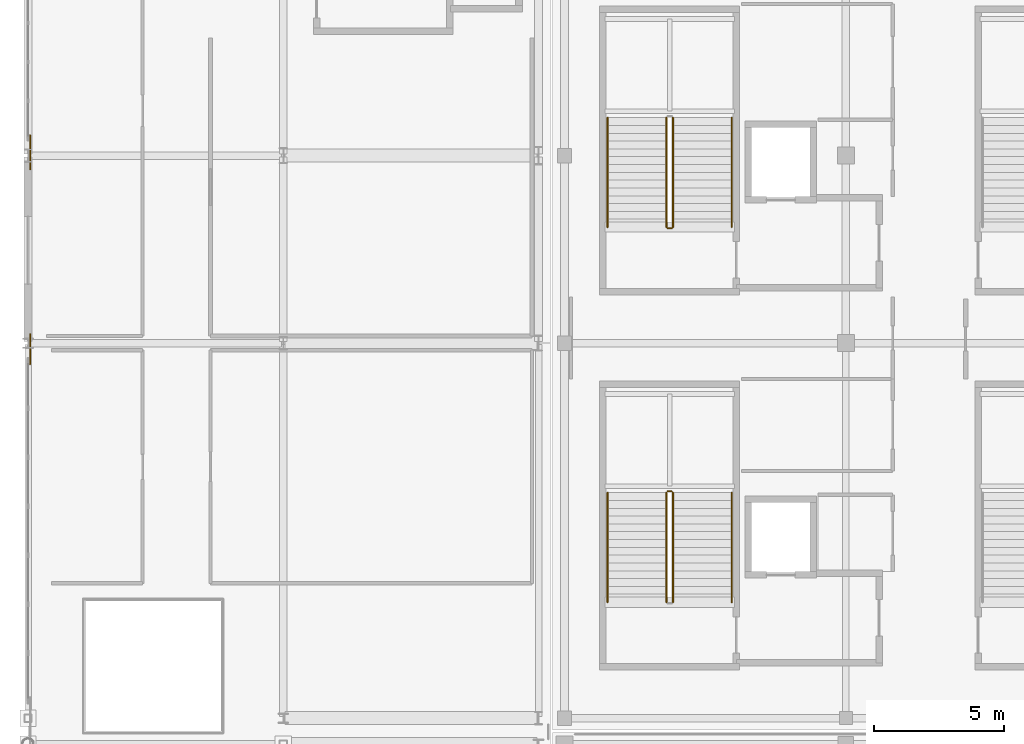
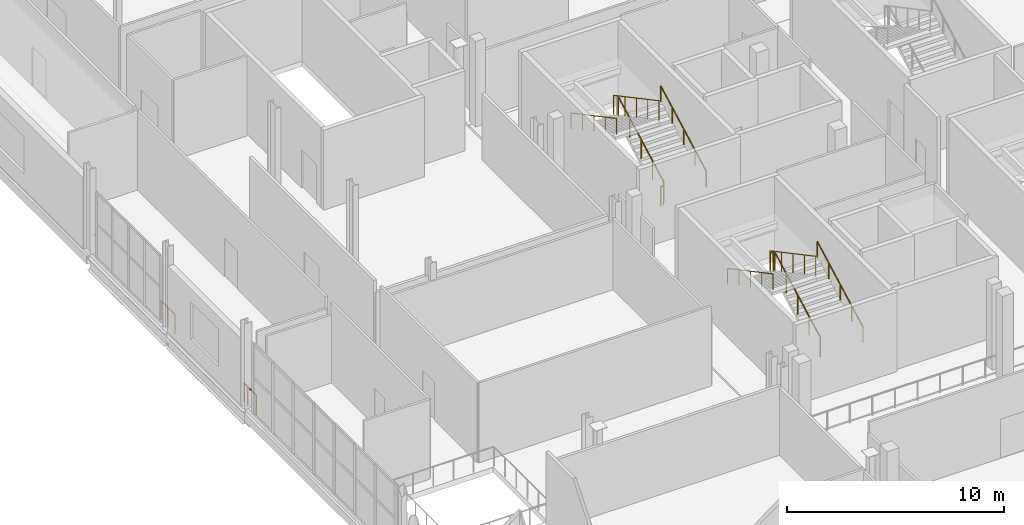
# One storey, part 113 of 142: 13 railings.
"""IFC4 building model written with IfcOpenShell, lengths in metres."""

from ifc_helpers import new_model, si_unit, direction, frame, origin, origin_2d, place, context, subcontext, project, spatial, circle, extrude, material, type_object, element, save


model = new_model("IFC4")

# Units and contexts
model_context = context("Model", 3, precision=1e-05, world=origin(), true_north=direction((0.0, 1.0)))
body_context = subcontext(model_context, "Body", "Model", "MODEL_VIEW")
ifc_project = project(units=[si_unit("LENGTHUNIT", "METRE"), si_unit("AREAUNIT", "SQUARE_METRE"), si_unit("VOLUMEUNIT", "CUBIC_METRE"), si_unit("PLANEANGLEUNIT", "RADIAN"), si_unit("MASSUNIT", "GRAM", prefix="KILO")], contexts=[model_context])

# Site, building, storey
site_placement = place(None, origin())
site = spatial("IfcSite", under=ifc_project, at=site_placement, CompositionType="ELEMENT")
building_placement = place(site_placement, origin())
building = spatial("IfcBuilding", under=site, at=building_placement, Name="Koshinbarg Plaza Stadium", CompositionType="ELEMENT")
storey_placement = place(building_placement, frame((0.0, 0.0, 10.199951171875)))
storey = spatial("IfcBuildingStorey", under=building, at=storey_placement, Name="L02", CompositionType="ELEMENT", Elevation=10.199951171875)

# Railings
ifc_material_1 = material(Name="Toughened laminated glass and stainless steel sightline balustrade", Category="steel")
railing_type_1 = type_object("IfcRailingType", Name="RL-BOWL-1100", PredefinedType="BALUSTRADE", material=ifc_material_1)
railing_1_placement = place(storey_placement, frame((4.080078125, 39.10009765625, 0.0)))
element("IfcRailing", 1, at=railing_1_placement, inside=storey, type_object=railing_type_1, Name="L02 deck edge safety balustrade 0218", PredefinedType="BALUSTRADE", context=body_context, shape_type="SweptSolid", body=[
    extrude(circle(Radius=0.02392578125, at=origin_2d()), frame((0.0, 0.0, 1.076171875), z_axis=(0.0, 1.0, 0.0), x_axis=(-1.0, 0.0, 0.0)), (0.0, 0.0, 1.0), 0.7998046875),
    extrude(circle(Radius=0.02099609375, at=origin_2d()), origin(), (0.0, 0.0, 1.0), 1.052001953125),
    extrude(circle(Radius=0.02099609375, at=origin_2d()), frame((0.0, 0.7998046875, 0.0)), (0.0, 0.0, 1.0), 1.052001953125),
])
railing_2_placement = place(storey_placement, frame((4.080078125, 39.89990234375, 0.0)))
element("IfcRailing", 2, at=railing_2_placement, inside=storey, type_object=railing_type_1, Name="L02 deck edge safety balustrade 0222", PredefinedType="BALUSTRADE", context=body_context, shape_type="SweptSolid", body=[
    extrude(circle(Radius=0.02392578125, at=origin_2d()), frame((0.0, 0.0, 1.076171875), z_axis=(0.0, 1.0, 0.0), x_axis=(-1.0, 0.0, 0.0)), (0.0, 0.0, 1.0), 0.349609375),
    extrude(circle(Radius=0.02099609375, at=origin_2d()), origin(), (0.0, 0.0, 1.0), 1.052001953125),
    extrude(circle(Radius=0.02099609375, at=origin_2d()), frame((0.0, 0.349609375, 0.0)), (0.0, 0.0, 1.0), 1.052001953125),
])
railing_3_placement = place(storey_placement, frame((4.080078125, 46.581787109375, 0.0)))
element("IfcRailing", 3, at=railing_3_placement, inside=storey, type_object=railing_type_1, Name="L02 deck edge safety balustrade 0223", PredefinedType="BALUSTRADE", context=body_context, shape_type="SweptSolid", body=[
    extrude(circle(Radius=0.02392578125, at=origin_2d()), frame((0.0, 0.0, 1.076171875), z_axis=(0.0, 1.0, 0.0), x_axis=(-1.0, 0.0, 0.0)), (0.0, 0.0, 1.0), 1.297607421875),
    extrude(circle(Radius=0.02099609375, at=origin_2d()), origin(), (0.0, 0.0, 1.0), 1.052001953125),
    extrude(circle(Radius=0.02099609375, at=origin_2d()), frame((0.0, 0.64892578125, 0.0)), (0.0, 0.0, 1.0), 1.052001953125),
    extrude(circle(Radius=0.02099609375, at=origin_2d()), frame((0.0, 1.297607421875, 0.0)), (0.0, 0.0, 1.0), 1.052001953125),
])
ifc_material_2 = material(Name="Galvanized painted steel guardrail", Category="steel")
railing_type_2 = type_object("IfcRailingType", Name="RL-GUARD-1100", PredefinedType="GUARDRAIL", material=ifc_material_2)
railing_4_placement = place(storey_placement, frame((28.760009765625, 29.9599609375, 0.16015625)))
element("IfcRailing", 4, at=railing_4_placement, inside=storey, type_object=railing_type_2, Name="L02 C01 stair guard 1", PredefinedType="GUARDRAIL", context=body_context, shape_type="SweptSolid", body=[
    extrude(circle(Radius=0.02392578125, at=origin_2d()), frame((0.0, 0.0, 1.076171875), z_axis=(0.0, 0.882351521365, 0.470590897432), x_axis=(-1.0, 0.0, 0.0)), (0.0, 0.0, 1.0), 4.760009765625),
    extrude(circle(Radius=0.02099609375, at=origin_2d()), origin(), (0.0, 0.0, 1.0), 1.052001953125),
    extrude(circle(Radius=0.02099609375, at=origin_2d()), frame((0.0, 1.050048828125, 0.56005859375)), (0.0, 0.0, 1.0), 1.052001953125),
    extrude(circle(Radius=0.02099609375, at=origin_2d()), frame((0.0, 2.10009765625, 1.1201171875)), (0.0, 0.0, 1.0), 1.052001953125),
    extrude(circle(Radius=0.02099609375, at=origin_2d()), frame((0.0, 3.14990234375, 1.679931640625)), (0.0, 0.0, 1.0), 1.052001953125),
    extrude(circle(Radius=0.02099609375, at=origin_2d()), frame((0.0, 4.199951171875, 2.239990234375)), (0.0, 0.0, 1.0), 1.052001953125),
])
railing_5_placement = place(storey_placement, frame((28.7099609375, 34.2099609375, 2.400146484375)))
element("IfcRailing", 5, at=railing_5_placement, inside=storey, type_object=railing_type_2, Name="L02 C01 stair guard 2", PredefinedType="GUARDRAIL", context=body_context, shape_type="SweptSolid", body=[
    extrude(circle(Radius=0.02392578125, at=origin_2d()), frame((0.0, 0.0, 1.076171875), z_axis=(-1.0, 0.0, 0.0), x_axis=(0.0, -1.0, 0.0)), (0.0, 0.0, 1.0), 0.14990234375),
    extrude(circle(Radius=0.02099609375, at=origin_2d()), origin(), (0.0, 0.0, 1.0), 1.052001953125),
    extrude(circle(Radius=0.02099609375, at=origin_2d()), frame((-0.14990234375, 0.0, 0.0)), (0.0, 0.0, 1.0), 1.052001953125),
])
railing_6_placement = place(storey_placement, frame((28.510009765625, 34.159912109375, 2.56005859375)))
element("IfcRailing", 6, at=railing_6_placement, inside=storey, type_object=railing_type_2, Name="L02 C01 stair guard 3", PredefinedType="GUARDRAIL", context=body_context, shape_type="SweptSolid", body=[
    extrude(circle(Radius=0.02392578125, at=origin_2d()), frame((0.0, 0.0, 1.076171875), z_axis=(0.0, -0.882351521365, 0.470590897432), x_axis=(1.0, 0.0, 0.0)), (0.0, 0.0, 1.0), 4.760009765625),
    extrude(circle(Radius=0.02099609375, at=origin_2d()), origin(), (0.0, 0.0, 1.0), 1.052001953125),
    extrude(circle(Radius=0.02099609375, at=origin_2d()), frame((0.0, -1.050048828125, 0.56005859375)), (0.0, 0.0, 1.0), 1.052001953125),
    extrude(circle(Radius=0.02099609375, at=origin_2d()), frame((0.0, -2.10009765625, 1.1201171875)), (0.0, 0.0, 1.0), 1.052001953125),
    extrude(circle(Radius=0.02099609375, at=origin_2d()), frame((0.0, -3.14990234375, 1.679931640625)), (0.0, 0.0, 1.0), 1.052001953125),
    extrude(circle(Radius=0.02099609375, at=origin_2d()), frame((0.0, -4.199951171875, 2.239990234375)), (0.0, 0.0, 1.0), 1.052001953125),
])
railing_7_placement = place(storey_placement, frame((28.760009765625, 44.360107421875, 0.16015625)))
element("IfcRailing", 7, at=railing_7_placement, inside=storey, type_object=railing_type_2, Name="L02 C02 stair guard 1", PredefinedType="GUARDRAIL", context=body_context, shape_type="SweptSolid", body=[
    extrude(circle(Radius=0.02392578125, at=origin_2d()), frame((0.0, 0.0, 1.076171875), z_axis=(0.0, 0.882351521365, 0.470590897432), x_axis=(-1.0, 0.0, 0.0)), (0.0, 0.0, 1.0), 4.760009765625),
    extrude(circle(Radius=0.02099609375, at=origin_2d()), origin(), (0.0, 0.0, 1.0), 1.052001953125),
    extrude(circle(Radius=0.02099609375, at=origin_2d()), frame((0.0, 1.050048828125, 0.56005859375)), (0.0, 0.0, 1.0), 1.052001953125),
    extrude(circle(Radius=0.02099609375, at=origin_2d()), frame((0.0, 2.10009765625, 1.1201171875)), (0.0, 0.0, 1.0), 1.052001953125),
    extrude(circle(Radius=0.02099609375, at=origin_2d()), frame((0.0, 3.14990234375, 1.679931640625)), (0.0, 0.0, 1.0), 1.052001953125),
    extrude(circle(Radius=0.02099609375, at=origin_2d()), frame((0.0, 4.199951171875, 2.239990234375)), (0.0, 0.0, 1.0), 1.052001953125),
])
railing_8_placement = place(storey_placement, frame((28.510009765625, 48.56005859375, 2.56005859375)))
element("IfcRailing", 8, at=railing_8_placement, inside=storey, type_object=railing_type_2, Name="L02 C02 stair guard 3", PredefinedType="GUARDRAIL", context=body_context, shape_type="SweptSolid", body=[
    extrude(circle(Radius=0.02392578125, at=origin_2d()), frame((0.0, 0.0, 1.076171875), z_axis=(0.0, -0.882351521365, 0.470590897432), x_axis=(1.0, 0.0, 0.0)), (0.0, 0.0, 1.0), 4.760009765625),
    extrude(circle(Radius=0.02099609375, at=origin_2d()), origin(), (0.0, 0.0, 1.0), 1.052001953125),
    extrude(circle(Radius=0.02099609375, at=origin_2d()), frame((0.0, -1.050048828125, 0.56005859375)), (0.0, 0.0, 1.0), 1.052001953125),
    extrude(circle(Radius=0.02099609375, at=origin_2d()), frame((0.0, -2.10009765625, 1.1201171875)), (0.0, 0.0, 1.0), 1.052001953125),
    extrude(circle(Radius=0.02099609375, at=origin_2d()), frame((0.0, -3.14990234375, 1.679931640625)), (0.0, 0.0, 1.0), 1.052001953125),
    extrude(circle(Radius=0.02099609375, at=origin_2d()), frame((0.0, -4.199951171875, 2.239990234375)), (0.0, 0.0, 1.0), 1.052001953125),
])
railing_9_placement = place(storey_placement, frame((28.7099609375, 44.31005859375, 0.0)))
element("IfcRailing", 9, at=railing_9_placement, inside=storey, type_object=railing_type_2, Name="L02 C02 stair guard 4", PredefinedType="GUARDRAIL", context=body_context, shape_type="SweptSolid", body=[
    extrude(circle(Radius=0.02392578125, at=origin_2d()), frame((0.0, 0.0, 1.076171875), z_axis=(-1.0, 0.0, 0.0), x_axis=(0.0, -1.0, 0.0)), (0.0, 0.0, 1.0), 0.14990234375),
    extrude(circle(Radius=0.02099609375, at=origin_2d()), origin(), (0.0, 0.0, 1.0), 1.052001953125),
    extrude(circle(Radius=0.02099609375, at=origin_2d()), frame((-0.14990234375, 0.0, 0.0)), (0.0, 0.0, 1.0), 1.052001953125),
])
ifc_material_3 = material(Name="Brushed stainless steel handrail", Category="steel")
railing_type_3 = type_object("IfcRailingType", Name="RL-HAND-900", PredefinedType="HANDRAIL", material=ifc_material_3)
railing_10_placement = place(storey_placement, frame((31.02001953125, 29.9599609375, 0.16015625)))
element("IfcRailing", 10, at=railing_10_placement, inside=storey, type_object=railing_type_3, Name="L02 C01 stair handrail 1", PredefinedType="HANDRAIL", context=body_context, shape_type="SweptSolid", body=[
    extrude(circle(Radius=0.02392578125, at=origin_2d()), frame((0.0, 0.0, 0.8759765625), z_axis=(0.0, 0.882351521365, 0.470590897432), x_axis=(-1.0, 0.0, 0.0)), (0.0, 0.0, 1.0), 4.760009765625),
    extrude(circle(Radius=0.02099609375, at=origin_2d()), origin(), (0.0, 0.0, 1.0), 0.851806640625),
    extrude(circle(Radius=0.02099609375, at=origin_2d()), frame((0.0, 1.050048828125, 0.56005859375)), (0.0, 0.0, 1.0), 0.851806640625),
    extrude(circle(Radius=0.02099609375, at=origin_2d()), frame((0.0, 2.10009765625, 1.1201171875)), (0.0, 0.0, 1.0), 0.851806640625),
    extrude(circle(Radius=0.02099609375, at=origin_2d()), frame((0.0, 3.14990234375, 1.679931640625)), (0.0, 0.0, 1.0), 0.851806640625),
    extrude(circle(Radius=0.02099609375, at=origin_2d()), frame((0.0, 4.199951171875, 2.239990234375)), (0.0, 0.0, 1.0), 0.851806640625),
])
railing_11_placement = place(storey_placement, frame((26.25, 34.159912109375, 2.56005859375)))
element("IfcRailing", 11, at=railing_11_placement, inside=storey, type_object=railing_type_3, Name="L02 C01 stair handrail 2", PredefinedType="HANDRAIL", context=body_context, shape_type="SweptSolid", body=[
    extrude(circle(Radius=0.02392578125, at=origin_2d()), frame((0.0, 0.0, 0.8759765625), z_axis=(0.0, -0.882351521365, 0.470590897432), x_axis=(1.0, 0.0, 0.0)), (0.0, 0.0, 1.0), 4.760009765625),
    extrude(circle(Radius=0.02099609375, at=origin_2d()), origin(), (0.0, 0.0, 1.0), 0.851806640625),
    extrude(circle(Radius=0.02099609375, at=origin_2d()), frame((0.0, -1.050048828125, 0.56005859375)), (0.0, 0.0, 1.0), 0.851806640625),
    extrude(circle(Radius=0.02099609375, at=origin_2d()), frame((0.0, -2.10009765625, 1.1201171875)), (0.0, 0.0, 1.0), 0.851806640625),
    extrude(circle(Radius=0.02099609375, at=origin_2d()), frame((0.0, -3.14990234375, 1.679931640625)), (0.0, 0.0, 1.0), 0.851806640625),
    extrude(circle(Radius=0.02099609375, at=origin_2d()), frame((0.0, -4.199951171875, 2.239990234375)), (0.0, 0.0, 1.0), 0.851806640625),
])
railing_12_placement = place(storey_placement, frame((31.02001953125, 44.360107421875, 0.16015625)))
element("IfcRailing", 12, at=railing_12_placement, inside=storey, type_object=railing_type_3, Name="L02 C02 stair handrail 1", PredefinedType="HANDRAIL", context=body_context, shape_type="SweptSolid", body=[
    extrude(circle(Radius=0.02392578125, at=origin_2d()), frame((0.0, 0.0, 0.8759765625), z_axis=(0.0, 0.882351521365, 0.470590897432), x_axis=(-1.0, 0.0, 0.0)), (0.0, 0.0, 1.0), 4.760009765625),
    extrude(circle(Radius=0.02099609375, at=origin_2d()), origin(), (0.0, 0.0, 1.0), 0.851806640625),
    extrude(circle(Radius=0.02099609375, at=origin_2d()), frame((0.0, 1.050048828125, 0.56005859375)), (0.0, 0.0, 1.0), 0.851806640625),
    extrude(circle(Radius=0.02099609375, at=origin_2d()), frame((0.0, 2.10009765625, 1.1201171875)), (0.0, 0.0, 1.0), 0.851806640625),
    extrude(circle(Radius=0.02099609375, at=origin_2d()), frame((0.0, 3.14990234375, 1.679931640625)), (0.0, 0.0, 1.0), 0.851806640625),
    extrude(circle(Radius=0.02099609375, at=origin_2d()), frame((0.0, 4.199951171875, 2.239990234375)), (0.0, 0.0, 1.0), 0.851806640625),
])
railing_13_placement = place(storey_placement, frame((26.25, 48.56005859375, 2.56005859375)))
element("IfcRailing", 13, at=railing_13_placement, inside=storey, type_object=railing_type_3, Name="L02 C02 stair handrail 2", PredefinedType="HANDRAIL", context=body_context, shape_type="SweptSolid", body=[
    extrude(circle(Radius=0.02392578125, at=origin_2d()), frame((0.0, 0.0, 0.8759765625), z_axis=(0.0, -0.882351521365, 0.470590897432), x_axis=(1.0, 0.0, 0.0)), (0.0, 0.0, 1.0), 4.760009765625),
    extrude(circle(Radius=0.02099609375, at=origin_2d()), origin(), (0.0, 0.0, 1.0), 0.851806640625),
    extrude(circle(Radius=0.02099609375, at=origin_2d()), frame((0.0, -1.050048828125, 0.56005859375)), (0.0, 0.0, 1.0), 0.851806640625),
    extrude(circle(Radius=0.02099609375, at=origin_2d()), frame((0.0, -2.10009765625, 1.1201171875)), (0.0, 0.0, 1.0), 0.851806640625),
    extrude(circle(Radius=0.02099609375, at=origin_2d()), frame((0.0, -3.14990234375, 1.679931640625)), (0.0, 0.0, 1.0), 0.851806640625),
    extrude(circle(Radius=0.02099609375, at=origin_2d()), frame((0.0, -4.199951171875, 2.239990234375)), (0.0, 0.0, 1.0), 0.851806640625),
])

save(model, "model.ifc")
